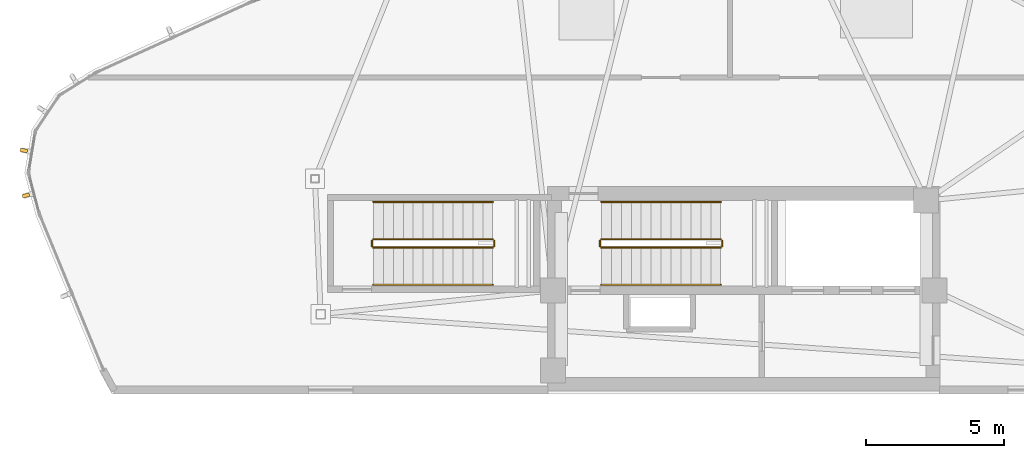
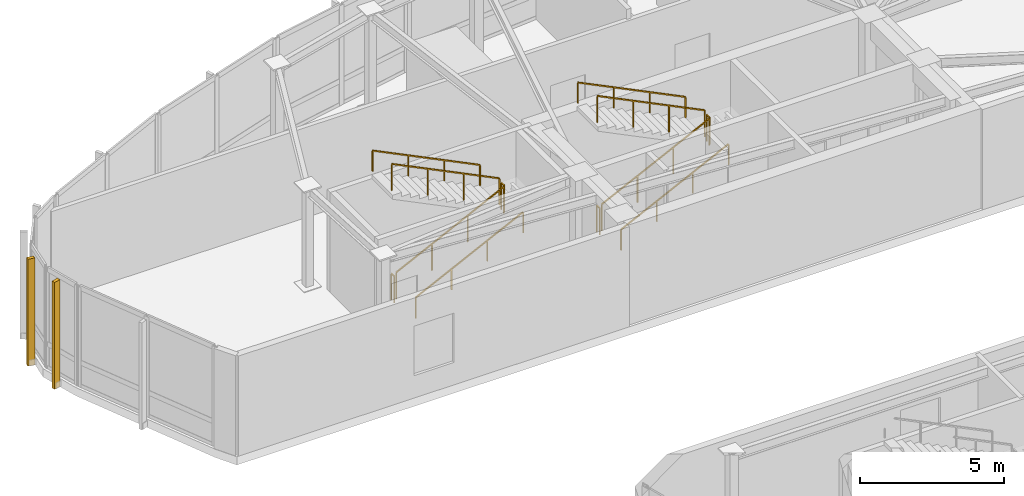
# One storey, part 14 of 16: 12 railings, 2 shading devices.
"""IFC4 building model written with IfcOpenShell, lengths in metres."""

from ifc_helpers import new_model, si_unit, direction, frame, origin, origin_2d, place, context, subcontext, project, spatial, rectangle, extrude, source, transform, mapped, material, type_object, type_shapes, element, save


model = new_model("IFC4")

# Units and contexts
model_context = context("Model", 3, precision=1e-05, world=origin(), true_north=direction((0.0, 1.0)))
body_context = subcontext(model_context, "Body", "Model", "MODEL_VIEW")
ifc_project = project(units=[si_unit("LENGTHUNIT", "METRE"), si_unit("AREAUNIT", "SQUARE_METRE"), si_unit("VOLUMEUNIT", "CUBIC_METRE"), si_unit("PLANEANGLEUNIT", "RADIAN"), si_unit("MASSUNIT", "GRAM", prefix="KILO")], contexts=[model_context])

# Site, building, storey
site_placement = place(None, origin())
site = spatial("IfcSite", under=ifc_project, at=site_placement, CompositionType="ELEMENT")
building_placement = place(site_placement, origin())
building = spatial("IfcBuilding", under=site, at=building_placement, Name="Tavelor Broadcast Tower", CompositionType="ELEMENT")
storey_placement = place(building_placement, frame((0.0, 0.0, 336.699951171875)))
storey = spatial("IfcBuildingStorey", under=building, at=storey_placement, Name="L80", CompositionType="ELEMENT", Elevation=336.699951171875)

# Railings
ifc_material_1 = material(Name="Steel S355", Category="steel")
railing_type_1 = type_object("IfcRailingType", Name="Continuous Brushed Stainless Handrail 900 mm", PredefinedType="HANDRAIL", material=ifc_material_1)
railing_1_placement = place(storey_placement, frame((44.85009765625, 48.14990234375, 0.177001953125)))
element("IfcRailing", 1, at=railing_1_placement, inside=storey, type_object=railing_type_1, Name="L80 ST1 stair handrail 1", PredefinedType="HANDRAIL", context=body_context, shape_type="SweptSolid", body=[
    extrude(rectangle(XDim=0.048095703125, YDim=0.048095703125, at=origin_2d()), frame((0.0, 0.0, 0.8759765625), z_axis=(0.897469794739, 0.0, 0.441075920371), x_axis=(0.0, 1.0, 0.0)), (0.0, 0.0, 1.0), 4.813232421875),
    extrude(rectangle(XDim=0.0419921875, YDim=0.0419921875, at=origin_2d()), origin(), (0.0, 0.0, 1.0), 0.851806640625),
    extrude(rectangle(XDim=0.0419921875, YDim=0.0419921875, at=origin_2d()), frame((1.43994140625, 0.0, 0.707763671875)), (0.0, 0.0, 1.0), 0.851806640625),
    extrude(rectangle(XDim=0.0419921875, YDim=0.0419921875, at=origin_2d()), frame((2.8798828125, 0.0, 1.415283203125)), (0.0, 0.0, 1.0), 0.851806640625),
    extrude(rectangle(XDim=0.0419921875, YDim=0.0419921875, at=origin_2d()), frame((4.31982421875, 0.0, 2.123046875)), (0.0, 0.0, 1.0), 0.851806640625),
])
railing_2_placement = place(storey_placement, frame((49.169921875, 51.14990234375, 2.47705078125)))
element("IfcRailing", 2, at=railing_2_placement, inside=storey, type_object=railing_type_1, Name="L80 ST1 stair handrail 2", PredefinedType="HANDRAIL", context=body_context, shape_type="SweptSolid", body=[
    extrude(rectangle(XDim=0.048095703125, YDim=0.048095703125, at=origin_2d()), frame((0.0, 0.0, 0.8759765625), z_axis=(-0.897469794739, 0.0, 0.441075920371), x_axis=(0.0, -1.0, 0.0)), (0.0, 0.0, 1.0), 4.813232421875),
    extrude(rectangle(XDim=0.0419921875, YDim=0.0419921875, at=origin_2d()), origin(), (0.0, 0.0, 1.0), 0.851806640625),
    extrude(rectangle(XDim=0.0419921875, YDim=0.0419921875, at=origin_2d()), frame((-1.43994140625, 0.0, 0.707763671875)), (0.0, 0.0, 1.0), 0.851806640625),
    extrude(rectangle(XDim=0.0419921875, YDim=0.0419921875, at=origin_2d()), frame((-2.8798828125, 0.0, 1.415283203125)), (0.0, 0.0, 1.0), 0.851806640625),
    extrude(rectangle(XDim=0.0419921875, YDim=0.0419921875, at=origin_2d()), frame((-4.31982421875, 0.0, 2.123046875)), (0.0, 0.0, 1.0), 0.851806640625),
])
railing_3_placement = place(storey_placement, frame((36.60009765625, 48.14990234375, 0.177001953125)))
element("IfcRailing", 3, at=railing_3_placement, inside=storey, type_object=railing_type_1, Name="L80 ST5 stair handrail 1", PredefinedType="HANDRAIL", context=body_context, shape_type="SweptSolid", body=[
    extrude(rectangle(XDim=0.048095703125, YDim=0.048095703125, at=origin_2d()), frame((0.0, 0.0, 0.8759765625), z_axis=(0.897469794739, 0.0, 0.441075920371), x_axis=(0.0, 1.0, 0.0)), (0.0, 0.0, 1.0), 4.813232421875),
    extrude(rectangle(XDim=0.0419921875, YDim=0.0419921875, at=origin_2d()), origin(), (0.0, 0.0, 1.0), 0.851806640625),
    extrude(rectangle(XDim=0.0419921875, YDim=0.0419921875, at=origin_2d()), frame((1.43994140625, 0.0, 0.707763671875)), (0.0, 0.0, 1.0), 0.851806640625),
    extrude(rectangle(XDim=0.0419921875, YDim=0.0419921875, at=origin_2d()), frame((2.8798828125, 0.0, 1.415283203125)), (0.0, 0.0, 1.0), 0.851806640625),
    extrude(rectangle(XDim=0.0419921875, YDim=0.0419921875, at=origin_2d()), frame((4.31982421875, 0.0, 2.123046875)), (0.0, 0.0, 1.0), 0.851806640625),
])
railing_4_placement = place(storey_placement, frame((40.919921875, 51.14990234375, 2.47705078125)))
element("IfcRailing", 4, at=railing_4_placement, inside=storey, type_object=railing_type_1, Name="L80 ST5 stair handrail 2", PredefinedType="HANDRAIL", context=body_context, shape_type="SweptSolid", body=[
    extrude(rectangle(XDim=0.048095703125, YDim=0.048095703125, at=origin_2d()), frame((0.0, 0.0, 0.8759765625), z_axis=(-0.897469794739, 0.0, 0.441075920371), x_axis=(0.0, -1.0, 0.0)), (0.0, 0.0, 1.0), 4.813232421875),
    extrude(rectangle(XDim=0.0419921875, YDim=0.0419921875, at=origin_2d()), origin(), (0.0, 0.0, 1.0), 0.851806640625),
    extrude(rectangle(XDim=0.0419921875, YDim=0.0419921875, at=origin_2d()), frame((-1.43994140625, 0.0, 0.707763671875)), (0.0, 0.0, 1.0), 0.851806640625),
    extrude(rectangle(XDim=0.0419921875, YDim=0.0419921875, at=origin_2d()), frame((-2.8798828125, 0.0, 1.415283203125)), (0.0, 0.0, 1.0), 0.851806640625),
    extrude(rectangle(XDim=0.0419921875, YDim=0.0419921875, at=origin_2d()), frame((-4.31982421875, 0.0, 2.123046875)), (0.0, 0.0, 1.0), 0.851806640625),
])
railing_type_2 = type_object("IfcRailingType", Name="Stairwell Steel Safety Guardrail 1150 mm", PredefinedType="GUARDRAIL", material=ifc_material_1)
railing_5_placement = place(storey_placement, frame((44.85009765625, 49.5, 0.177001953125)))
element("IfcRailing", 5, at=railing_5_placement, inside=storey, type_object=railing_type_2, Name="L80 ST1 stair guard 1", PredefinedType="GUARDRAIL", context=body_context, shape_type="SweptSolid", body=[
    extrude(rectangle(XDim=0.048095703125, YDim=0.048095703125, at=origin_2d()), frame((0.0, 0.0, 1.1259765625), z_axis=(0.897469794739, 0.0, 0.441075920371), x_axis=(0.0, 1.0, 0.0)), (0.0, 0.0, 1.0), 4.813232421875),
    extrude(rectangle(XDim=0.0419921875, YDim=0.0419921875, at=origin_2d()), origin(), (0.0, 0.0, 1.0), 1.101806640625),
    extrude(rectangle(XDim=0.0419921875, YDim=0.0419921875, at=origin_2d()), frame((1.43994140625, 0.0, 0.707763671875)), (0.0, 0.0, 1.0), 1.101806640625),
    extrude(rectangle(XDim=0.0419921875, YDim=0.0419921875, at=origin_2d()), frame((2.8798828125, 0.0, 1.415283203125)), (0.0, 0.0, 1.0), 1.101806640625),
    extrude(rectangle(XDim=0.0419921875, YDim=0.0419921875, at=origin_2d()), frame((4.31982421875, 0.0, 2.123046875)), (0.0, 0.0, 1.0), 1.101806640625),
])
railing_6_placement = place(storey_placement, frame((49.219970703125, 49.550048828125, 2.300048828125)))
element("IfcRailing", 6, at=railing_6_placement, inside=storey, type_object=railing_type_2, Name="L80 ST1 stair guard 2", PredefinedType="GUARDRAIL", context=body_context, shape_type="SweptSolid", body=[
    extrude(rectangle(XDim=0.048095703125, YDim=0.048095703125, at=origin_2d()), frame((0.0, 0.0, 1.1259765625), z_axis=(0.0, 1.0, 0.0), x_axis=(-1.0, 0.0, 0.0)), (0.0, 0.0, 1.0), 0.199951171875),
    extrude(rectangle(XDim=0.0419921875, YDim=0.0419921875, at=origin_2d()), origin(), (0.0, 0.0, 1.0), 1.101806640625),
    extrude(rectangle(XDim=0.0419921875, YDim=0.0419921875, at=origin_2d()), frame((0.0, 0.199951171875, 0.0)), (0.0, 0.0, 1.0), 1.101806640625),
])
railing_7_placement = place(storey_placement, frame((49.169921875, 49.800048828125, 2.47705078125)))
element("IfcRailing", 7, at=railing_7_placement, inside=storey, type_object=railing_type_2, Name="L80 ST1 stair guard 3", PredefinedType="GUARDRAIL", context=body_context, shape_type="SweptSolid", body=[
    extrude(rectangle(XDim=0.048095703125, YDim=0.048095703125, at=origin_2d()), frame((0.0, 0.0, 1.1259765625), z_axis=(-0.897469794739, 0.0, 0.441075920371), x_axis=(0.0, -1.0, 0.0)), (0.0, 0.0, 1.0), 4.813232421875),
    extrude(rectangle(XDim=0.0419921875, YDim=0.0419921875, at=origin_2d()), origin(), (0.0, 0.0, 1.0), 1.101806640625),
    extrude(rectangle(XDim=0.0419921875, YDim=0.0419921875, at=origin_2d()), frame((-1.43994140625, 0.0, 0.707763671875)), (0.0, 0.0, 1.0), 1.101806640625),
    extrude(rectangle(XDim=0.0419921875, YDim=0.0419921875, at=origin_2d()), frame((-2.8798828125, 0.0, 1.415283203125)), (0.0, 0.0, 1.0), 1.101806640625),
    extrude(rectangle(XDim=0.0419921875, YDim=0.0419921875, at=origin_2d()), frame((-4.31982421875, 0.0, 2.123046875)), (0.0, 0.0, 1.0), 1.101806640625),
])
railing_8_placement = place(storey_placement, frame((44.800048828125, 49.550048828125, 0.0)))
element("IfcRailing", 8, at=railing_8_placement, inside=storey, type_object=railing_type_2, Name="L80 ST1 stair guard 4", PredefinedType="GUARDRAIL", context=body_context, shape_type="SweptSolid", body=[
    extrude(rectangle(XDim=0.048095703125, YDim=0.048095703125, at=origin_2d()), frame((0.0, 0.0, 1.1259765625), z_axis=(0.0, 1.0, 0.0), x_axis=(-1.0, 0.0, 0.0)), (0.0, 0.0, 1.0), 0.199951171875),
    extrude(rectangle(XDim=0.0419921875, YDim=0.0419921875, at=origin_2d()), origin(), (0.0, 0.0, 1.0), 1.101806640625),
    extrude(rectangle(XDim=0.0419921875, YDim=0.0419921875, at=origin_2d()), frame((0.0, 0.199951171875, 0.0)), (0.0, 0.0, 1.0), 1.101806640625),
])
railing_9_placement = place(storey_placement, frame((36.60009765625, 49.5, 0.177001953125)))
element("IfcRailing", 9, at=railing_9_placement, inside=storey, type_object=railing_type_2, Name="L80 ST5 stair guard 1", PredefinedType="GUARDRAIL", context=body_context, shape_type="SweptSolid", body=[
    extrude(rectangle(XDim=0.048095703125, YDim=0.048095703125, at=origin_2d()), frame((0.0, 0.0, 1.1259765625), z_axis=(0.897469794739, 0.0, 0.441075920371), x_axis=(0.0, 1.0, 0.0)), (0.0, 0.0, 1.0), 4.813232421875),
    extrude(rectangle(XDim=0.0419921875, YDim=0.0419921875, at=origin_2d()), origin(), (0.0, 0.0, 1.0), 1.101806640625),
    extrude(rectangle(XDim=0.0419921875, YDim=0.0419921875, at=origin_2d()), frame((1.43994140625, 0.0, 0.707763671875)), (0.0, 0.0, 1.0), 1.101806640625),
    extrude(rectangle(XDim=0.0419921875, YDim=0.0419921875, at=origin_2d()), frame((2.8798828125, 0.0, 1.415283203125)), (0.0, 0.0, 1.0), 1.101806640625),
    extrude(rectangle(XDim=0.0419921875, YDim=0.0419921875, at=origin_2d()), frame((4.31982421875, 0.0, 2.123046875)), (0.0, 0.0, 1.0), 1.101806640625),
])
railing_10_placement = place(storey_placement, frame((40.969970703125, 49.550048828125, 2.300048828125)))
element("IfcRailing", 10, at=railing_10_placement, inside=storey, type_object=railing_type_2, Name="L80 ST5 stair guard 2", PredefinedType="GUARDRAIL", context=body_context, shape_type="SweptSolid", body=[
    extrude(rectangle(XDim=0.048095703125, YDim=0.048095703125, at=origin_2d()), frame((0.0, 0.0, 1.1259765625), z_axis=(0.0, 1.0, 0.0), x_axis=(-1.0, 0.0, 0.0)), (0.0, 0.0, 1.0), 0.199951171875),
    extrude(rectangle(XDim=0.0419921875, YDim=0.0419921875, at=origin_2d()), origin(), (0.0, 0.0, 1.0), 1.101806640625),
    extrude(rectangle(XDim=0.0419921875, YDim=0.0419921875, at=origin_2d()), frame((0.0, 0.199951171875, 0.0)), (0.0, 0.0, 1.0), 1.101806640625),
])
railing_11_placement = place(storey_placement, frame((40.919921875, 49.800048828125, 2.47705078125)))
element("IfcRailing", 11, at=railing_11_placement, inside=storey, type_object=railing_type_2, Name="L80 ST5 stair guard 3", PredefinedType="GUARDRAIL", context=body_context, shape_type="SweptSolid", body=[
    extrude(rectangle(XDim=0.048095703125, YDim=0.048095703125, at=origin_2d()), frame((0.0, 0.0, 1.1259765625), z_axis=(-0.897469794739, 0.0, 0.441075920371), x_axis=(0.0, -1.0, 0.0)), (0.0, 0.0, 1.0), 4.813232421875),
    extrude(rectangle(XDim=0.0419921875, YDim=0.0419921875, at=origin_2d()), origin(), (0.0, 0.0, 1.0), 1.101806640625),
    extrude(rectangle(XDim=0.0419921875, YDim=0.0419921875, at=origin_2d()), frame((-1.43994140625, 0.0, 0.707763671875)), (0.0, 0.0, 1.0), 1.101806640625),
    extrude(rectangle(XDim=0.0419921875, YDim=0.0419921875, at=origin_2d()), frame((-2.8798828125, 0.0, 1.415283203125)), (0.0, 0.0, 1.0), 1.101806640625),
    extrude(rectangle(XDim=0.0419921875, YDim=0.0419921875, at=origin_2d()), frame((-4.31982421875, 0.0, 2.123046875)), (0.0, 0.0, 1.0), 1.101806640625),
])
railing_12_placement = place(storey_placement, frame((36.550048828125, 49.550048828125, 0.0)))
element("IfcRailing", 12, at=railing_12_placement, inside=storey, type_object=railing_type_2, Name="L80 ST5 stair guard 4", PredefinedType="GUARDRAIL", context=body_context, shape_type="SweptSolid", body=[
    extrude(rectangle(XDim=0.048095703125, YDim=0.048095703125, at=origin_2d()), frame((0.0, 0.0, 1.1259765625), z_axis=(0.0, 1.0, 0.0), x_axis=(-1.0, 0.0, 0.0)), (0.0, 0.0, 1.0), 0.199951171875),
    extrude(rectangle(XDim=0.0419921875, YDim=0.0419921875, at=origin_2d()), origin(), (0.0, 0.0, 1.0), 1.101806640625),
    extrude(rectangle(XDim=0.0419921875, YDim=0.0419921875, at=origin_2d()), frame((0.0, 0.199951171875, 0.0)), (0.0, 0.0, 1.0), 1.101806640625),
])

# Shading devices
ifc_material_2 = material(Name="Kiln-Fired Glazed Terracotta", Category="masonry")
shading_device_type = type_object("IfcShadingDeviceType", Name="Extruded Terracotta Corner Baguette 130x260", PredefinedType="JALOUSIE", material=ifc_material_2)
shared_shape = source(origin(), body_context, "Body", "SweptSolid", [
    extrude(rectangle(XDim=0.1298828125, YDim=0.260009765625, at=origin_2d()), origin(), (0.0, 0.0, 1.0), 4.5400390625),
])
type_shapes(shading_device_type, [shared_shape])
for number, where, z_axis, x_axis, name in (
    (13, (23.94921875, 53.01123046875, -0.31005859375), (0.0, 0.0, 1.0), (-0.164186846569, -0.986429257176, 0.0), "L80 Terracotta Baguette Fin 785"),
    (14, (24.02587890625, 51.381103515625, -0.31005859375), (0.0, 0.0, 1.0), (0.256289373133, -0.966600102017, 0.0), "L80 Terracotta Baguette Fin 786"),
):
    element("IfcShadingDevice", number, at=place(storey_placement, frame(where, z_axis=z_axis, x_axis=x_axis)), inside=storey, type_object=shading_device_type, Name=name, PredefinedType="JALOUSIE", context=body_context, shape_type="MappedRepresentation", body=[
        mapped(shared_shape, transform((0.0, 0.0, 0.0), scale=1.0)),
    ])

save(model, "model.ifc")
